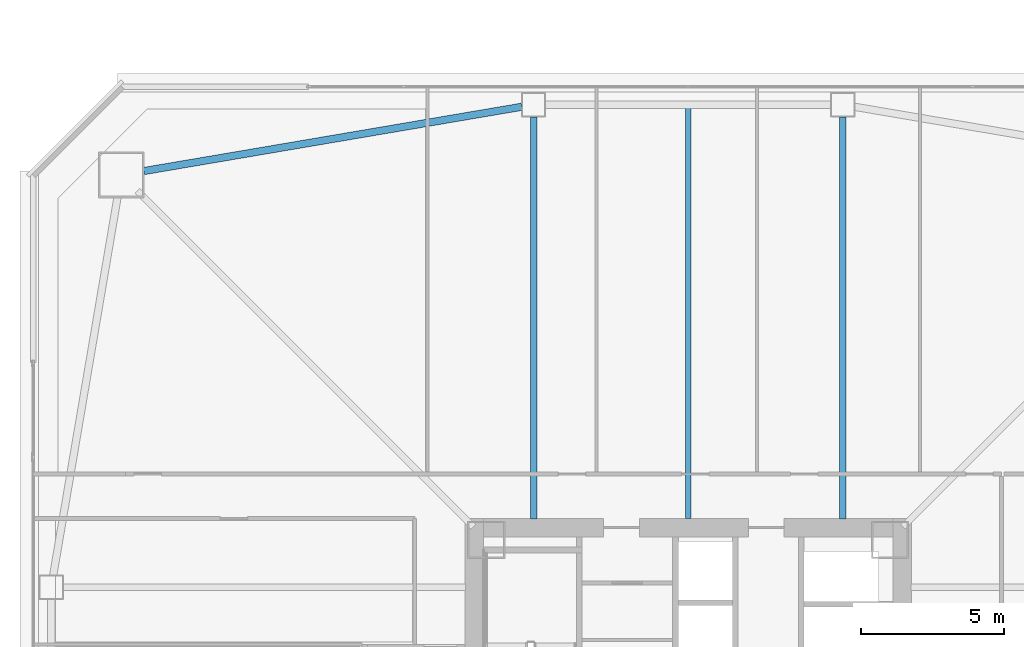
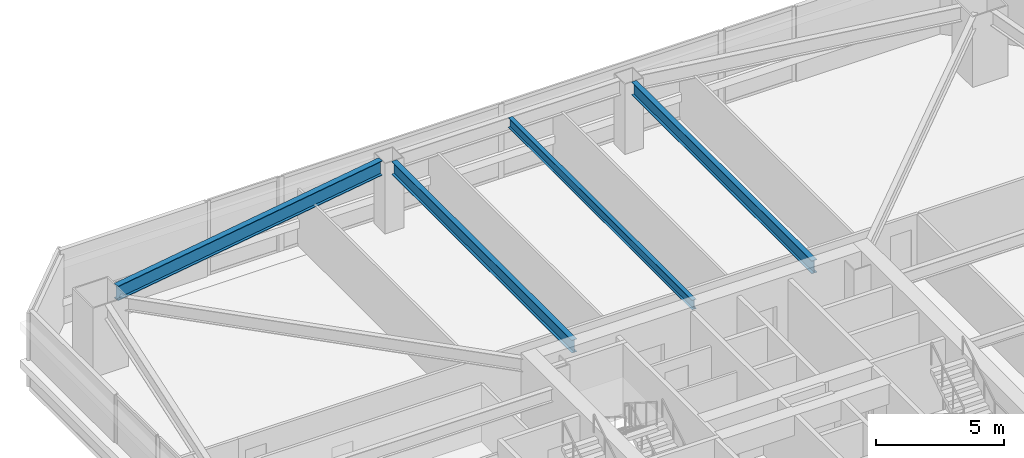
# One storey, part 14 of 48: 4 beams.
"""IFC4 building model written with IfcOpenShell, lengths in metres."""

import ifcopenshell
import ifcopenshell.guid

model = None  # the IFC model being written
_history = None  # IfcOwnerHistory: only IFC2X3 demands one
_inside = {}  # id of a spatial element -> (the spatial element, [elements in it])
_under = {}  # id of a project, library or spatial element -> (it, [spatial elements below it])
_declared = {}  # id of a project -> (the project, [libraries it declares])
_typed = {}  # id of a type object -> (the type object, [elements of that type])
_made_of = {}  # id of a material, layer set ... -> (it, [elements and type objects made of it])


def new_model(schema):
    """Start an empty IFC model of exactly this schema.

    Asked for "IFC4X3", IfcOpenShell would pick the latest addendum, in which some entities
    have other attributes; the version numbers below select the first issue.
    IFC2X3 requires an IfcOwnerHistory on every rooted entity: one is made here for all.
    """
    global model, _history
    if schema == "IFC4X3":
        model = ifcopenshell.file(schema_version=(4, 3, 0, 0))
    else:
        model = ifcopenshell.file(schema=schema)
    _inside.clear()
    _under.clear()
    _declared.clear()
    _typed.clear()
    _made_of.clear()
    _history = None
    if model.schema == "IFC2X3":
        org = make("IfcOrganization", Name="unknown")
        user = make(
            "IfcPersonAndOrganization",
            ThePerson=make("IfcPerson", FamilyName="unknown"),
            TheOrganization=org,
        )
        app = make(
            "IfcApplication",
            ApplicationDeveloper=org,
            Version="unknown",
            ApplicationFullName="unknown",
            ApplicationIdentifier="unknown",
        )
        _history = make(
            "IfcOwnerHistory",
            OwningUser=user,
            OwningApplication=app,
            ChangeAction="ADDED",
            CreationDate=0,
        )
    return model


def make(cls, **values):
    """One entity of the class cls with the attributes given. An attribute that is None is left unset."""
    return model.create_entity(
        cls, **{name: value for name, value in values.items() if value is not None}
    )


def rooted(cls, **values):
    """An entity with a GlobalId (a new one), such as an element, a storey or a relation."""
    return make(cls, GlobalId=ifcopenshell.guid.new(), OwnerHistory=_history, **values)


def si_unit(unit_type, name, prefix=None):
    """IfcSIUnit, for example si_unit("LENGTHUNIT", "METRE", prefix="MILLI")."""
    return make("IfcSIUnit", UnitType=unit_type, Prefix=prefix, Name=name)


def assignment(units):
    """IfcUnitAssignment: the units of a project."""
    return None if units is None else make("IfcUnitAssignment", Units=units)


def point(xyz):
    """IfcCartesianPoint."""
    return None if xyz is None else make("IfcCartesianPoint", Coordinates=xyz)


def direction(xyz):
    """IfcDirection."""
    return None if xyz is None else make("IfcDirection", DirectionRatios=xyz)


def frame(location, z_axis=None, x_axis=None):
    """IfcAxis2Placement3D, a coordinate frame: its origin and axes. An axis left out is left unset."""
    return make(
        "IfcAxis2Placement3D",
        Location=point(location),
        Axis=direction(z_axis),
        RefDirection=direction(x_axis),
    )


def frame_2d(location, x_axis=None):
    """IfcAxis2Placement2D, a coordinate frame in the plane: its origin and x axis."""
    return make(
        "IfcAxis2Placement2D", Location=point(location), RefDirection=direction(x_axis)
    )


def origin():
    """The frame at (0, 0, 0) with its axes left unset."""
    return frame((0.0, 0.0, 0.0))


def origin_2d():
    """The frame at (0, 0) in the plane with its x axis left unset."""
    return frame_2d((0.0, 0.0))


def place(relative_to, where):
    """IfcLocalPlacement: puts the frame where relative to a parent placement (None: the world)."""
    return make(
        "IfcLocalPlacement", PlacementRelTo=relative_to, RelativePlacement=where
    )


def context(
    kind, dimensions, precision=None, world=None, true_north=None, identifier=None
):
    """IfcGeometricRepresentationContext, for example the 3D "Model" context."""
    return make(
        "IfcGeometricRepresentationContext",
        ContextIdentifier=identifier,
        ContextType=kind,
        CoordinateSpaceDimension=dimensions,
        Precision=precision,
        WorldCoordinateSystem=world,
        TrueNorth=true_north,
    )


def subcontext(parent, identifier, kind, view, scale=None):
    """IfcGeometricRepresentationSubContext, for example "Body" below "Model"."""
    return make(
        "IfcGeometricRepresentationSubContext",
        ContextIdentifier=identifier,
        ContextType=kind,
        ParentContext=parent,
        TargetScale=scale,
        TargetView=view,
    )


def project(units=None, contexts=None):
    """IfcProject with its units and contexts."""
    return rooted(
        "IfcProject",
        Name="project",
        RepresentationContexts=contexts,
        UnitsInContext=assignment(units),
    )


def spatial(cls, under=None, at=None, **own):
    """A site, building, storey or space (cls), placed at a placement, below another one or the project."""
    s = rooted(cls, ObjectPlacement=at, **own)
    if under is not None:
        _under.setdefault(under.id(), (under, []))[1].append(s)
    return s


def profile(cls, at=None, kind="AREA", **sizes):
    """A parametric profile (cls). Its sizes go by their IFC names, for example OverallWidth=200.0."""
    return make(cls, ProfileType=kind, Position=at, **sizes)


def i_section(**sizes):
    """IfcIShapeProfileDef."""
    return profile("IfcIShapeProfileDef", **sizes)


def extrude(swept, where, along, depth):
    """IfcExtrudedAreaSolid: the profile swept, set in the frame where, extruded along a direction by depth."""
    return make(
        "IfcExtrudedAreaSolid",
        SweptArea=swept,
        Position=where,
        ExtrudedDirection=direction(along),
        Depth=depth,
    )


def shape(context_of_items, identifier, shape_type, items):
    """IfcShapeRepresentation: the items that make up one representation, for example the "Body"."""
    return make(
        "IfcShapeRepresentation",
        ContextOfItems=context_of_items,
        RepresentationIdentifier=identifier,
        RepresentationType=shape_type,
        Items=items,
    )


def material(Name=None, Category=None):
    """IfcMaterial."""
    return make("IfcMaterial", Name=Name, Category=Category)


def material_profile(
    of_material, cross_section, Name=None, Category=None, Priority=None
):
    """IfcMaterialProfile: a cross section and its material."""
    return make(
        "IfcMaterialProfile",
        Name=Name,
        Material=of_material,
        Profile=cross_section,
        Priority=Priority,
        Category=Category,
    )


def profile_set(profiles, Name=None, composite=None):
    """IfcMaterialProfileSet."""
    return make(
        "IfcMaterialProfileSet",
        Name=Name,
        MaterialProfiles=profiles,
        CompositeProfile=composite,
    )


def made_of(thing, what):
    """Note that an element or type object is made of a material, layer set ...; save() writes the relation."""
    if what is not None:
        _made_of.setdefault(what.id(), (what, []))[1].append(thing)
    return thing


def type_object(cls, material=None, **own):
    """A type object (cls), such as IfcWallType, which elements share."""
    return made_of(rooted(cls, **own), material)


def element(
    cls,
    number,
    at=None,
    inside=None,
    cuts=None,
    type_object=None,
    material=None,
    context=None,
    identifier="Body",
    shape_type=None,
    held_by="IfcProductDefinitionShape",
    body=None,
    shapes=None,
    **own,
):
    """One element of the class cls, such as IfcWall. Its Tag is "e" and its number.

    at: its placement. inside: the storey or other place that contains it. cuts: it is an
    opening in that element (IfcRelVoidsElement). A single representation is given by context,
    identifier, shape_type and body (its items); several are given by shapes. held_by: the class
    of the entity that holds the representations. save() writes the other relations.
    """
    e = rooted(cls, Tag="e%d" % number, ObjectPlacement=at, **own)
    if body is not None:
        shapes = [shape(context, identifier, shape_type, body)]
    if shapes is not None:
        e.Representation = make(held_by, Representations=shapes)
    if inside is not None:
        _inside.setdefault(inside.id(), (inside, []))[1].append(e)
    if cuts is not None:
        rooted(
            "IfcRelVoidsElement", RelatingBuildingElement=cuts, RelatedOpeningElement=e
        )
    if type_object is not None:
        _typed.setdefault(type_object.id(), (type_object, []))[1].append(e)
    return made_of(e, material)


def aggregate(whole, parts):
    """IfcRelAggregates: a whole, such as a stair, and the parts it consists of."""
    return rooted("IfcRelAggregates", RelatingObject=whole, RelatedObjects=parts)


def save(model, path):
    """Write the relations noted so far, then the file.

    IfcRelAggregates (storeys below a building ...), IfcRelContainedInSpatialStructure (elements
    in a storey), IfcRelDefinesByType, IfcRelAssociatesMaterial and IfcRelDeclares: one each for
    every whole, place, type object, material and project.
    """
    for whole, parts in _under.values():
        aggregate(whole, parts)
    for where, things in _inside.values():
        rooted(
            "IfcRelContainedInSpatialStructure",
            RelatedElements=things,
            RelatingStructure=where,
        )
    for kind, things in _typed.values():
        rooted("IfcRelDefinesByType", RelatedObjects=things, RelatingType=kind)
    for what, things in _made_of.values():
        rooted("IfcRelAssociatesMaterial", RelatedObjects=things, RelatingMaterial=what)
    for by, libraries in _declared.values():
        rooted("IfcRelDeclares", RelatingContext=by, RelatedDefinitions=libraries)
    model.write(path)


model = new_model("IFC4")

# Units and contexts
model_context = context("Model", 3, precision=1e-05, world=origin(), true_north=direction((0.0, 1.0)))
body_context = subcontext(model_context, "Body", "Model", "MODEL_VIEW")
ifc_project = project(units=[si_unit("LENGTHUNIT", "METRE"), si_unit("AREAUNIT", "SQUARE_METRE"), si_unit("VOLUMEUNIT", "CUBIC_METRE"), si_unit("PLANEANGLEUNIT", "RADIAN"), si_unit("MASSUNIT", "GRAM", prefix="KILO")], contexts=[model_context])

# Site, building, storey
site_placement = place(None, origin())
site = spatial("IfcSite", under=ifc_project, at=site_placement, CompositionType="ELEMENT")
building_placement = place(site_placement, origin())
building = spatial("IfcBuilding", under=site, at=building_placement, Name="Tashvorn Skyway Center", CompositionType="ELEMENT")
storey_placement = place(building_placement, frame((0.0, 0.0, 56.550048828125)))
storey = spatial("IfcBuildingStorey", under=building, at=storey_placement, Name="L14", CompositionType="ELEMENT", Elevation=56.550048828125)

# Beams
ifc_material = material(Name="Steel ASTM A992 Grade 50", Category="steel")
ifc_material_profile_1 = material_profile(ifc_material, i_section(OverallWidth=0.22998046875, OverallDepth=0.616943359375, WebThickness=0.01318359375, FlangeThickness=0.022216796875, at=origin_2d()), Name="W24X94")
ifc_profile_set_1 = profile_set([ifc_material_profile_1], Name="Steel ASTM A992 Grade 50")
beam_type_1 = type_object("IfcBeamType", Name="BM-BEAM-W24X94", PredefinedType="BEAM", material=ifc_profile_set_1)
for number, where, z_axis, x_axis, name in (
    (1, (47.39990234375, 53.830078125, 3.04150390625), (0.0, -1.0, 0.0), (1.0, 0.0, 0.0), "Tower 1 L14 Primary Floor Girder FC-N1"),
    (2, (36.60009765625, 53.830078125, 3.04150390625), (0.0, -1.0, 0.0), (1.0, 0.0, 0.0), "Tower 1 L14 Primary Floor Girder FC-N2"),
):
    element("IfcBeam", number, at=place(storey_placement, frame(where, z_axis=z_axis, x_axis=x_axis)), inside=storey, type_object=beam_type_1, Name=name, PredefinedType="BEAM", context=body_context, shape_type="SweptSolid", body=[
        extrude(i_section(OverallWidth=0.22998046875, OverallDepth=0.616943359375, WebThickness=0.01318359375, FlangeThickness=0.022216796875, at=origin_2d()), origin(), (0.0, 0.0, 1.0), 14.050048828125),
    ])
ifc_material_profile_2 = material_profile(ifc_material, i_section(OverallWidth=0.19091796875, OverallDepth=0.4599609375, WebThickness=0.010009765625, FlangeThickness=0.01611328125, at=origin_2d()), Name="W18X55")
ifc_profile_set_2 = profile_set([ifc_material_profile_2], Name="Steel ASTM A992 Grade 50")
beam_type_2 = type_object("IfcBeamType", Name="BM-JOIST-W18X55", PredefinedType="JOIST", material=ifc_profile_set_2)
beam_1_placement = place(storey_placement, frame((42.0, 39.7900390625, 3.119873046875), z_axis=(0.0, 1.0, 0.0), x_axis=(-1.0, 0.0, 0.0)))
element("IfcBeam", 3, at=beam_1_placement, inside=storey, type_object=beam_type_2, Name="Tower 1 L14 Secondary Composite Joist JN", PredefinedType="JOIST", context=body_context, shape_type="SweptSolid", body=[
    extrude(i_section(OverallWidth=0.19091796875, OverallDepth=0.4599609375, WebThickness=0.010009765625, FlangeThickness=0.01611328125, at=origin_2d()), origin(), (0.0, 0.0, 1.0), 14.33984375),
])
ifc_material_profile_3 = material_profile(ifc_material, i_section(OverallWidth=0.256103515625, OverallDepth=0.693115234375, WebThickness=0.014404296875, FlangeThickness=0.023681640625, at=origin_2d()), Name="W27X114")
ifc_profile_set_3 = profile_set([ifc_material_profile_3], Name="Steel ASTM A992 Grade 50")
beam_type_3 = type_object("IfcBeamType", Name="BM-SPANDREL-W27X114", PredefinedType="SPANDREL", material=ifc_profile_set_3)
beam_2_placement = place(storey_placement, frame((36.18603515625, 54.179443359375, 3.00341796875), z_axis=(-0.985835025551, -0.16771792509, 0.0), x_axis=(0.16771792509, -0.985835025551, 0.0)))
element("IfcBeam", 4, at=beam_2_placement, inside=storey, type_object=beam_type_3, Name="Tower 1 L14 Spandrel Beam 09", PredefinedType="SPANDREL", context=body_context, shape_type="SweptSolid", body=[
    extrude(i_section(OverallWidth=0.256103515625, OverallDepth=0.693115234375, WebThickness=0.014404296875, FlangeThickness=0.023681640625, at=origin_2d()), origin(), (0.0, 0.0, 1.0), 13.39208984375),
])

save(model, "model.ifc")
